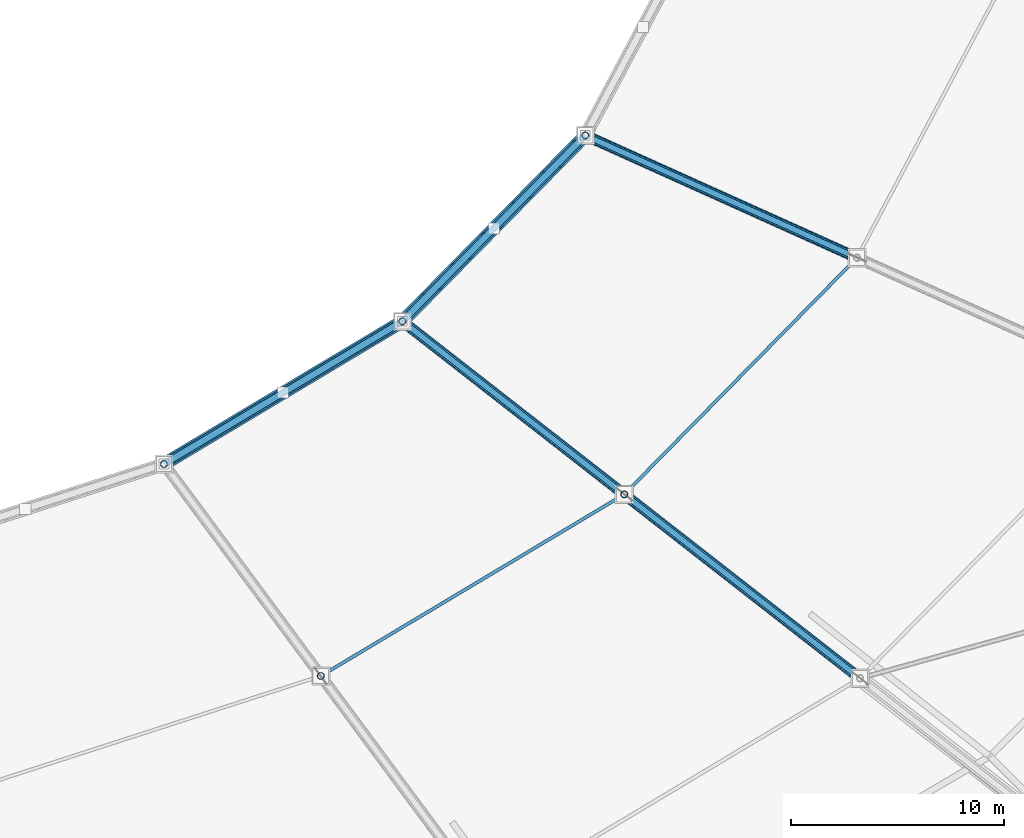
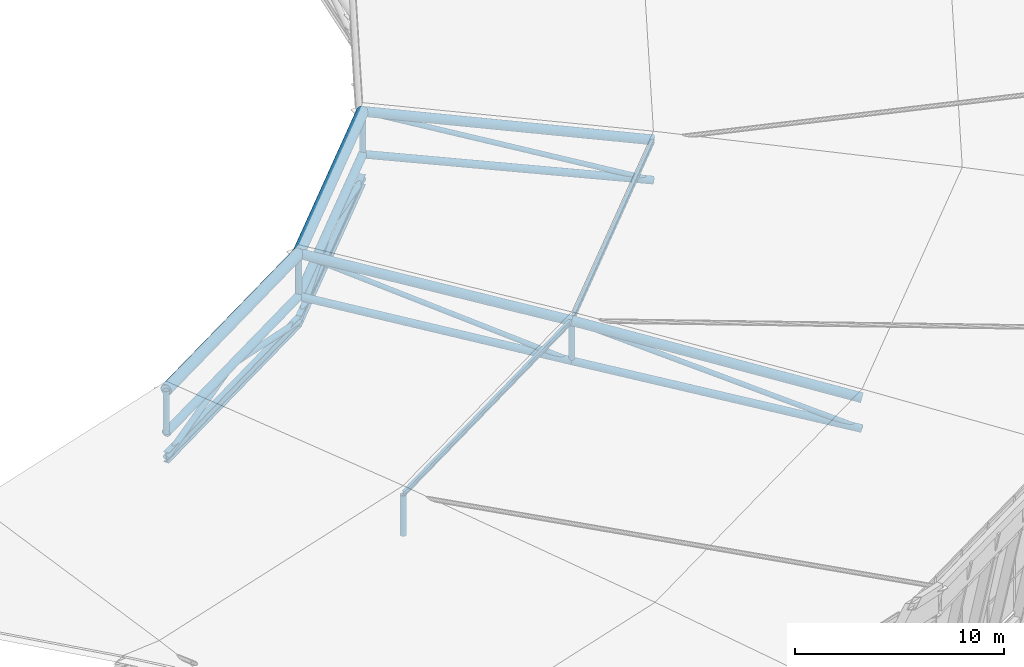
# One storey, part 41 of 115: 24 members, 2 beams.
"""IFC4 building model written with IfcOpenShell, lengths in metres."""

from ifc_helpers import new_model, si_unit, direction, frame, origin, origin_2d, place, context, subcontext, project, spatial, hollow_circle, i_section, extrude, material, material_profile, profile_set, type_object, element, save


model = new_model("IFC4")

# Units and contexts
model_context = context("Model", 3, precision=1e-05, world=origin(), true_north=direction((0.0, 1.0)))
body_context = subcontext(model_context, "Body", "Model", "MODEL_VIEW")
ifc_project = project(units=[si_unit("LENGTHUNIT", "METRE"), si_unit("AREAUNIT", "SQUARE_METRE"), si_unit("VOLUMEUNIT", "CUBIC_METRE"), si_unit("PLANEANGLEUNIT", "RADIAN"), si_unit("MASSUNIT", "GRAM", prefix="KILO")], contexts=[model_context])

# Site, building, storey
site_placement = place(None, origin())
site = spatial("IfcSite", under=ifc_project, at=site_placement, CompositionType="ELEMENT")
building_placement = place(site_placement, origin())
building = spatial("IfcBuilding", under=site, at=building_placement, Name="Zlatoyarsky Gate Stadium", CompositionType="ELEMENT")
storey_placement = place(building_placement, frame((0.0, 0.0, 31.800048828125)))
storey = spatial("IfcBuildingStorey", under=building, at=storey_placement, Name="RF", CompositionType="ELEMENT", Elevation=31.800048828125)

# Members
ifc_material = material(Name="Steel S355", Category="steel")
ifc_material_profile_1 = material_profile(ifc_material, hollow_circle(Radius=0.228515625, WallThickness=0.02490234375, at=origin_2d()), Name="CHS 457X25")
ifc_profile_set_1 = profile_set([ifc_material_profile_1], Name="Steel S355")
member_type_1 = type_object("IfcMemberType", Name="STEEL ARCH BOTTOM CHORD CHS 457X25", PredefinedType="CHORD", material=ifc_profile_set_1)
member_1_placement = place(storey_placement, frame((138.007568359375, 43.510009765625, 6.449951171875), z_axis=(0.85803439637, 0.513592226037, 0.0), x_axis=(-0.513592226037, 0.85803439637, 0.0)))
element("IfcMember", 1, at=member_1_placement, inside=storey, type_object=member_type_1, Name="Inner tension ring bottom chord 20", PredefinedType="CHORD", context=body_context, shape_type="SweptSolid", body=[
    extrude(hollow_circle(Radius=0.228515625, WallThickness=0.02490234375, at=origin_2d()), origin(), (0.0, 0.0, 1.0), 13.03759765625),
])
member_2_placement = place(storey_placement, frame((149.1943359375, 50.2060546875, 6.449951171875), z_axis=(0.701258917911, 0.712906676957, 0.0), x_axis=(-0.712906676957, 0.701258917911, 0.0)))
element("IfcMember", 2, at=member_2_placement, inside=storey, type_object=member_type_1, Name="Inner tension ring bottom chord 21", PredefinedType="CHORD", context=body_context, shape_type="SweptSolid", body=[
    extrude(hollow_circle(Radius=0.228515625, WallThickness=0.02490234375, at=origin_2d()), origin(), (0.0, 0.0, 1.0), 12.24072265625),
])
ifc_material_profile_2 = material_profile(ifc_material, hollow_circle(Radius=0.203125, WallThickness=0.02001953125, at=origin_2d()), Name="CHS 406.4X20")
ifc_profile_set_2 = profile_set([ifc_material_profile_2], Name="Steel S355")
member_type_2 = type_object("IfcMemberType", Name="STEEL ARCH INNER CHORD CHS 406.4X20", PredefinedType="CHORD", material=ifc_profile_set_2)
member_3_placement = place(storey_placement, frame((170.66796875, 33.455322265625, 1.349853515625), z_axis=(-0.775280414707, 0.604760130163, 0.182223663495), x_axis=(-0.61505798075, -0.788481883315, 0.0)))
element("IfcMember", 3, at=member_3_placement, inside=storey, type_object=member_type_2, Name="Radial truss R22 bottom chord 2", PredefinedType="CHORD", context=body_context, shape_type="SweptSolid", body=[
    extrude(hollow_circle(Radius=0.203125, WallThickness=0.02001953125, at=origin_2d()), origin(), (0.0, 0.0, 1.0), 14.268798828125),
])
member_4_placement = place(storey_placement, frame((159.605712890625, 42.08447265625, 3.949951171875), z_axis=(-0.774713357375, 0.604329101804, 0.186025671932), x_axis=(-0.615065134986, -0.788476302576, 0.0)))
element("IfcMember", 4, at=member_4_placement, inside=storey, type_object=member_type_2, Name="Radial truss R22 bottom chord 3", PredefinedType="CHORD", context=body_context, shape_type="SweptSolid", body=[
    extrude(hollow_circle(Radius=0.203125, WallThickness=0.02001953125, at=origin_2d()), origin(), (0.0, 0.0, 1.0), 13.43896484375),
])
member_5_placement = place(storey_placement, frame((170.52978515625, 53.189697265625, 3.949951171875), z_axis=(-0.897565514488, 0.404239586393, 0.175973020646), x_axis=(-0.410647748687, -0.911794070226, 0.0)))
element("IfcMember", 5, at=member_5_placement, inside=storey, type_object=member_type_2, Name="Radial truss R23 bottom chord 3", PredefinedType="CHORD", context=body_context, shape_type="SweptSolid", body=[
    extrude(hollow_circle(Radius=0.203125, WallThickness=0.02001953125, at=origin_2d()), origin(), (0.0, 0.0, 1.0), 14.206787109375),
])
ifc_material_profile_3 = material_profile(ifc_material, hollow_circle(Radius=0.25390625, WallThickness=0.02490234375, at=origin_2d()), Name="CHS 508X25")
ifc_profile_set_3 = profile_set([ifc_material_profile_3], Name="Steel S355")
member_type_3 = type_object("IfcMemberType", Name="STEEL ARCH TOP CHORD CHS 508X25", PredefinedType="CHORD", material=ifc_profile_set_3)
member_6_placement = place(storey_placement, frame((170.66796875, 33.455322265625, 3.14990234375), z_axis=(-0.769327603611, 0.600116619576, 0.21907779721), x_axis=(-0.61505798075, -0.788481883315, 0.0)))
element("IfcMember", 6, at=member_6_placement, inside=storey, type_object=member_type_3, Name="Radial truss R22 top chord 2", PredefinedType="CHORD", context=body_context, shape_type="SweptSolid", body=[
    extrude(hollow_circle(Radius=0.25390625, WallThickness=0.02490234375, at=origin_2d()), origin(), (0.0, 0.0, 1.0), 14.379150390625),
])
member_7_placement = place(storey_placement, frame((159.605712890625, 42.08447265625, 6.300048828125), z_axis=(-0.773062936618, 0.60304166138, 0.196759880738), x_axis=(-0.615065134986, -0.788476302576, 0.0)))
element("IfcMember", 7, at=member_7_placement, inside=storey, type_object=member_type_3, Name="Radial truss R22 top chord 3", PredefinedType="CHORD", context=body_context, shape_type="SweptSolid", body=[
    extrude(hollow_circle(Radius=0.25390625, WallThickness=0.02490234375, at=origin_2d()), origin(), (0.0, 0.0, 1.0), 13.4677734375),
])
member_8_placement = place(storey_placement, frame((170.52978515625, 53.189697265625, 6.300048828125), z_axis=(-0.895853875894, 0.403468709988, 0.18616882958), x_axis=(-0.410647748687, -0.911794070226, 0.0)))
element("IfcMember", 8, at=member_8_placement, inside=storey, type_object=member_type_3, Name="Radial truss R23 top chord 3", PredefinedType="CHORD", context=body_context, shape_type="SweptSolid", body=[
    extrude(hollow_circle(Radius=0.25390625, WallThickness=0.02490234375, at=origin_2d()), origin(), (0.0, 0.0, 1.0), 14.23388671875),
])
ifc_material_profile_4 = material_profile(ifc_material, i_section(OverallWidth=0.14990234375, OverallDepth=0.300048828125, WebThickness=0.007080078125, FlangeThickness=0.0107421875, FilletRadius=0.014892578125, at=origin_2d()), Name="IPE 300")
ifc_profile_set_4 = profile_set([ifc_material_profile_4], Name="Steel S355")
member_type_4 = type_object("IfcMemberType", Name="STEEL BOWL ROOF PURLIN IPE 300", PredefinedType="PURLIN", material=ifc_profile_set_4)
member_9_placement = place(storey_placement, frame((145.369384765625, 33.563232421875, 6.329833984375), z_axis=(0.858039046715, 0.513584456844, 0.0), x_axis=(-0.513584456844, 0.858039046715, 0.0)))
element("IfcMember", 9, at=member_9_placement, inside=storey, type_object=member_type_4, Name="Stadium roof purlin 20.2", PredefinedType="PURLIN", context=body_context, shape_type="SweptSolid", body=[
    extrude(i_section(OverallWidth=0.14990234375, OverallDepth=0.300048828125, WebThickness=0.007080078125, FlangeThickness=0.0107421875, FilletRadius=0.014892578125, at=origin_2d()), origin(), (0.0, 0.0, 1.0), 16.591796875),
])
member_10_placement = place(storey_placement, frame((159.605712890625, 42.08447265625, 6.329833984375), z_axis=(0.701268357543, 0.712897391431, 0.0), x_axis=(-0.712897391431, 0.701268357543, 0.0)))
element("IfcMember", 10, at=member_10_placement, inside=storey, type_object=member_type_4, Name="Stadium roof purlin 21.2", PredefinedType="PURLIN", context=body_context, shape_type="SweptSolid", body=[
    extrude(i_section(OverallWidth=0.14990234375, OverallDepth=0.300048828125, WebThickness=0.007080078125, FlangeThickness=0.0107421875, FilletRadius=0.014892578125, at=origin_2d()), origin(), (0.0, 0.0, 1.0), 15.57763671875),
])

# Beams
ifc_material_profile_5 = material_profile(ifc_material, i_section(OverallWidth=0.300048828125, OverallDepth=0.60009765625, WebThickness=0.015380859375, FlangeThickness=0.030029296875, FilletRadius=0.027099609375, at=origin_2d()), Name="HEB 600")
ifc_profile_set_5 = profile_set([ifc_material_profile_5], Name="Steel S355")
beam_type = type_object("IfcBeamType", Name="STEEL INNER CATWALK RING BEAM HEB 600", PredefinedType="USERDEFINED", material=ifc_profile_set_5)
beam_1_placement = place(storey_placement, frame((138.007568359375, 43.510009765625, 5.0), z_axis=(0.85803439637, 0.513592226037, 0.0), x_axis=(-0.513592226037, 0.85803439637, 0.0)))
element("IfcBeam", 11, at=beam_1_placement, inside=storey, type_object=beam_type, Name="Inner lighting catwalk ring beam 20", ObjectType="RING BEAM", PredefinedType="USERDEFINED", context=body_context, shape_type="SweptSolid", body=[
    extrude(i_section(OverallWidth=0.300048828125, OverallDepth=0.60009765625, WebThickness=0.015380859375, FlangeThickness=0.030029296875, FilletRadius=0.027099609375, at=origin_2d()), origin(), (0.0, 0.0, 1.0), 13.03759765625),
])
beam_2_placement = place(storey_placement, frame((149.1943359375, 50.2060546875, 5.0), z_axis=(0.701258917911, 0.712906676957, 0.0), x_axis=(-0.712906676957, 0.701258917911, 0.0)))
element("IfcBeam", 12, at=beam_2_placement, inside=storey, type_object=beam_type, Name="Inner lighting catwalk ring beam 21", ObjectType="RING BEAM", PredefinedType="USERDEFINED", context=body_context, shape_type="SweptSolid", body=[
    extrude(i_section(OverallWidth=0.300048828125, OverallDepth=0.60009765625, WebThickness=0.015380859375, FlangeThickness=0.030029296875, FilletRadius=0.027099609375, at=origin_2d()), origin(), (0.0, 0.0, 1.0), 12.24072265625),
])

# Members
ifc_material_profile_6 = material_profile(ifc_material, hollow_circle(Radius=0.136474609375, WallThickness=0.01611328125, at=origin_2d()), Name="CHS 273X16")
ifc_profile_set_6 = profile_set([ifc_material_profile_6], Name="Steel S355")
member_type_5 = type_object("IfcMemberType", Name="STEEL ROOF TRUSS DIAGONAL CHS 273X16", PredefinedType="BRACE", material=ifc_profile_set_6)
member_11_placement = place(storey_placement, frame((170.66796875, 33.455322265625, 1.349853515625), z_axis=(-0.743555815667, 0.580013248543, 0.332730191752), x_axis=(-0.61505798075, -0.788481883315, 0.0)))
element("IfcMember", 13, at=member_11_placement, inside=storey, type_object=member_type_5, Name="Radial truss R22 web diagonal 2", PredefinedType="BRACE", context=body_context, shape_type="SweptSolid", body=[
    extrude(hollow_circle(Radius=0.136474609375, WallThickness=0.01611328125, at=origin_2d()), origin(), (0.0, 0.0, 1.0), 14.87744140625),
])
member_12_placement = place(storey_placement, frame((159.605712890625, 42.08447265625, 3.949951171875), z_axis=(-0.737382070164, 0.575208159129, 0.354123221877), x_axis=(-0.615065134986, -0.788476302576, 0.0)))
element("IfcMember", 14, at=member_12_placement, inside=storey, type_object=member_type_5, Name="Radial truss R22 web diagonal 3", PredefinedType="BRACE", context=body_context, shape_type="SweptSolid", body=[
    extrude(hollow_circle(Radius=0.136474609375, WallThickness=0.01611328125, at=origin_2d()), origin(), (0.0, 0.0, 1.0), 14.119384765625),
])
member_13_placement = place(storey_placement, frame((170.52978515625, 53.189697265625, 3.949951171875), z_axis=(-0.858570657818, 0.386677342214, 0.336655697341), x_axis=(-0.410647748687, -0.911794070226, 0.0)))
element("IfcMember", 15, at=member_13_placement, inside=storey, type_object=member_type_5, Name="Radial truss R23 web diagonal 3", PredefinedType="BRACE", context=body_context, shape_type="SweptSolid", body=[
    extrude(hollow_circle(Radius=0.136474609375, WallThickness=0.01611328125, at=origin_2d()), origin(), (0.0, 0.0, 1.0), 14.85205078125),
])
ifc_material_profile_7 = material_profile(ifc_material, hollow_circle(Radius=0.304931640625, WallThickness=0.030029296875, at=origin_2d()), Name="CHS 610X30")
ifc_profile_set_7 = profile_set([ifc_material_profile_7], Name="Steel S355")
member_type_6 = type_object("IfcMemberType", Name="STEEL TENSION RING CHORD CHS 610X30", PredefinedType="CHORD", material=ifc_profile_set_7)
member_14_placement = place(storey_placement, frame((138.007568359375, 43.510009765625, 8.949951171875), z_axis=(0.85803439637, 0.513592226037, 0.0), x_axis=(-0.513592226037, 0.85803439637, 0.0)))
element("IfcMember", 16, at=member_14_placement, inside=storey, type_object=member_type_6, Name="Inner tension ring top chord 20", PredefinedType="CHORD", context=body_context, shape_type="SweptSolid", body=[
    extrude(hollow_circle(Radius=0.304931640625, WallThickness=0.030029296875, at=origin_2d()), origin(), (0.0, 0.0, 1.0), 13.03759765625),
])
member_15_placement = place(storey_placement, frame((149.1943359375, 50.2060546875, 8.949951171875), z_axis=(0.701258917911, 0.712906676957, 0.0), x_axis=(-0.712906676957, 0.701258917911, 0.0)))
element("IfcMember", 17, at=member_15_placement, inside=storey, type_object=member_type_6, Name="Inner tension ring top chord 21", PredefinedType="CHORD", context=body_context, shape_type="SweptSolid", body=[
    extrude(hollow_circle(Radius=0.304931640625, WallThickness=0.030029296875, at=origin_2d()), origin(), (0.0, 0.0, 1.0), 12.24072265625),
])
ifc_material_profile_8 = material_profile(ifc_material, hollow_circle(Radius=0.161865234375, WallThickness=0.01611328125, at=origin_2d()), Name="CHS 323.9X16")
ifc_profile_set_8 = profile_set([ifc_material_profile_8], Name="Steel S355")
member_type_7 = type_object("IfcMemberType", Name="STEEL TRUSS WEB STRUT CHS 323.9X16", PredefinedType="STRUT", material=ifc_profile_set_8)
member_16_placement = place(storey_placement, frame((145.369384765625, 33.563232421875, 3.949951171875), z_axis=(0.0, 0.0, 1.0), x_axis=(1.0, 0.0, 0.0)))
element("IfcMember", 18, at=member_16_placement, inside=storey, type_object=member_type_7, Name="Radial truss R21 web strut 2", PredefinedType="STRUT", context=body_context, shape_type="SweptSolid", body=[
    extrude(hollow_circle(Radius=0.161865234375, WallThickness=0.01611328125, at=origin_2d()), origin(), (0.0, 0.0, 1.0), 2.35009765625),
])
member_17_placement = place(storey_placement, frame((138.007568359375, 43.510009765625, 6.449951171875), z_axis=(0.0, 0.0, 1.0), x_axis=(1.0, 0.0, 0.0)))
element("IfcMember", 19, at=member_17_placement, inside=storey, type_object=member_type_7, Name="Radial truss R21 web strut 3", PredefinedType="STRUT", context=body_context, shape_type="SweptSolid", body=[
    extrude(hollow_circle(Radius=0.161865234375, WallThickness=0.01611328125, at=origin_2d()), origin(), (0.0, 0.0, 1.0), 2.5),
])
member_18_placement = place(storey_placement, frame((138.007568359375, 43.510009765625, 5.0), z_axis=(0.837552974417, 0.501361915808, 0.217120345485), x_axis=(-0.513614264444, 0.858021204493, 0.0)))
element("IfcMember", 20, at=member_18_placement, inside=storey, type_object=member_type_7, Name="Catwalk V-hanger strut 20A", PredefinedType="STRUT", context=body_context, shape_type="SweptSolid", body=[
    extrude(hollow_circle(Radius=0.161865234375, WallThickness=0.01611328125, at=origin_2d()), origin(), (0.0, 0.0, 1.0), 6.677978515625),
])
member_19_placement = place(storey_placement, frame((149.1943359375, 50.2060546875, 5.0), z_axis=(-0.837579237404, -0.501319195257, 0.217117676703), x_axis=(0.513570187575, -0.858047587511, 0.0)))
element("IfcMember", 21, at=member_19_placement, inside=storey, type_object=member_type_7, Name="Catwalk V-hanger strut 20B", PredefinedType="STRUT", context=body_context, shape_type="SweptSolid", body=[
    extrude(hollow_circle(Radius=0.161865234375, WallThickness=0.01611328125, at=origin_2d()), origin(), (0.0, 0.0, 1.0), 6.67822265625),
])
member_20_placement = place(storey_placement, frame((159.605712890625, 42.08447265625, 3.949951171875), z_axis=(0.0, 0.0, 1.0), x_axis=(1.0, 0.0, 0.0)))
element("IfcMember", 22, at=member_20_placement, inside=storey, type_object=member_type_7, Name="Radial truss R22 web strut 2", PredefinedType="STRUT", context=body_context, shape_type="SweptSolid", body=[
    extrude(hollow_circle(Radius=0.161865234375, WallThickness=0.01611328125, at=origin_2d()), origin(), (0.0, 0.0, 1.0), 2.35009765625),
])
member_21_placement = place(storey_placement, frame((149.1943359375, 50.2060546875, 6.449951171875), z_axis=(0.0, 0.0, 1.0), x_axis=(1.0, 0.0, 0.0)))
element("IfcMember", 23, at=member_21_placement, inside=storey, type_object=member_type_7, Name="Radial truss R22 web strut 3", PredefinedType="STRUT", context=body_context, shape_type="SweptSolid", body=[
    extrude(hollow_circle(Radius=0.161865234375, WallThickness=0.01611328125, at=origin_2d()), origin(), (0.0, 0.0, 1.0), 2.5),
])
for number, where, z_axis, x_axis, name in (
    (24, (149.1943359375, 50.2060546875, 5.0), (0.682371718253, 0.693705764996, 0.230523642475), (-0.712906676957, 0.701258917911, 0.0), "Catwalk V-hanger strut 21A"),
    (25, (157.7783203125, 58.9326171875, 5.0), (-0.682371718253, -0.693705764996, 0.230523642475), (0.712906676957, -0.701258917911, 0.0), "Catwalk V-hanger strut 21B"),
):
    element("IfcMember", number, at=place(storey_placement, frame(where, z_axis=z_axis, x_axis=x_axis)), inside=storey, type_object=member_type_7, Name=name, PredefinedType="STRUT", context=body_context, shape_type="SweptSolid", body=[
        extrude(hollow_circle(Radius=0.161865234375, WallThickness=0.01611328125, at=origin_2d()), origin(), (0.0, 0.0, 1.0), 6.289794921875),
    ])
member_22_placement = place(storey_placement, frame((157.7783203125, 58.9326171875, 6.449951171875), z_axis=(0.0, 0.0, 1.0), x_axis=(1.0, 0.0, 0.0)))
element("IfcMember", 26, at=member_22_placement, inside=storey, type_object=member_type_7, Name="Radial truss R23 web strut 3", PredefinedType="STRUT", context=body_context, shape_type="SweptSolid", body=[
    extrude(hollow_circle(Radius=0.161865234375, WallThickness=0.01611328125, at=origin_2d()), origin(), (0.0, 0.0, 1.0), 2.5),
])

save(model, "model.ifc")
